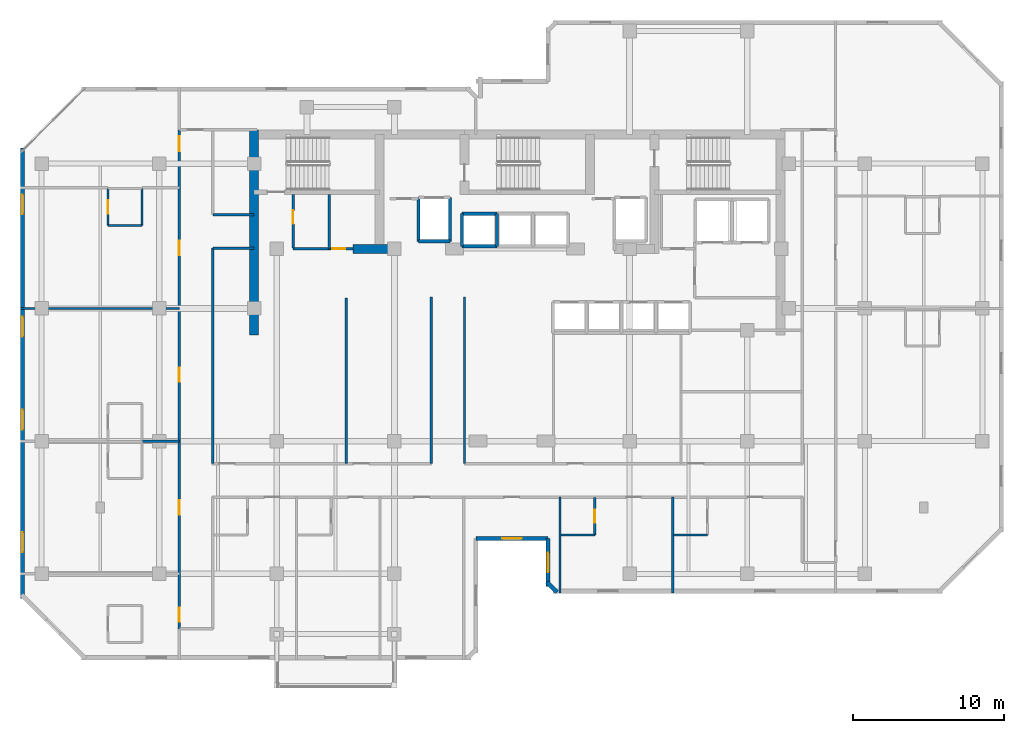
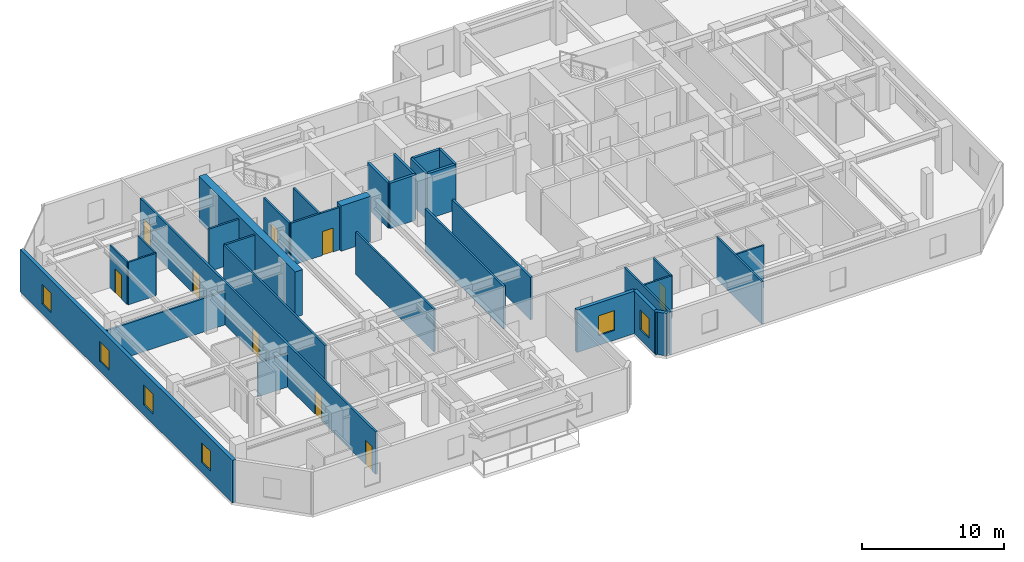
# One storey, part 5 of 11: 33 walls, 9 doors, 6 windows, 15 openings.
"""IFC4 building model written with IfcOpenShell, lengths in metres."""

from ifc_helpers import new_model, si_unit, direction, frame, frame_2d, origin, place, context, subcontext, project, spatial, rectangle, extrude, material, layer, layer_set, type_object, element, fill, save


model = new_model("IFC4")

# Units and contexts
model_context = context("Model", 3, precision=1e-05, world=origin(), true_north=direction((0.0, 1.0)))
body_context = subcontext(model_context, "Body", "Model", "MODEL_VIEW")
ifc_project = project(units=[si_unit("LENGTHUNIT", "METRE"), si_unit("AREAUNIT", "SQUARE_METRE"), si_unit("VOLUMEUNIT", "CUBIC_METRE"), si_unit("PLANEANGLEUNIT", "RADIAN"), si_unit("MASSUNIT", "GRAM", prefix="KILO")], contexts=[model_context])

# Site, building, storey
site_placement = place(None, origin())
site = spatial("IfcSite", under=ifc_project, at=site_placement, CompositionType="ELEMENT")
building_placement = place(site_placement, origin())
building = spatial("IfcBuilding", under=site, at=building_placement, Name="Kestravale Grand Hotel", CompositionType="ELEMENT")
storey_placement = place(building_placement, frame((0.0, 0.0, 200.699951171875)))
storey = spatial("IfcBuildingStorey", under=building, at=storey_placement, Name="L50", CompositionType="ELEMENT", Elevation=200.699951171875)

# Walls
ifc_material_1 = material(Name="Concrete f'c 50 MPa", Category="concrete")
ifc_layer_1 = layer(ifc_material_1, 0.60009765625)
ifc_layer_set_1 = layer_set([ifc_layer_1], Name="EW-CORE-600")
wall_type_1 = type_object("IfcWallType", Name="EW-CORE-600", PredefinedType="SHEAR", material=ifc_layer_set_1)
wall_1_placement = place(storey_placement, frame((21.89990234375, 27.050048828125, 0.0), z_axis=(0.0, 0.0, 1.0), x_axis=(0.0, 1.0, 0.0)))
element("IfcWall", 1, at=wall_1_placement, inside=storey, type_object=wall_type_1, Name="L50 core shear wall W1", PredefinedType="SHEAR", context=body_context, shape_type="SweptSolid", body=[
    extrude(rectangle(XDim=13.570068359375, YDim=0.60009765625, at=frame_2d((6.78515625, 0.0))), origin(), (0.0, 0.0, 1.0), 3.900146484375),
])
wall_2_placement = place(storey_placement, frame((28.449951171875, 32.75, 0.0), z_axis=(0.0, 0.0, 1.0), x_axis=(1.0, 0.0, 0.0)))
element("IfcWall", 2, at=wall_2_placement, inside=storey, type_object=wall_type_1, Name="L50 core shear wall S1", PredefinedType="SHEAR", context=body_context, shape_type="SweptSolid", body=[
    extrude(rectangle(XDim=2.400146484375, YDim=0.60009765625, at=frame_2d((1.2001953125, 0.0))), origin(), (0.0, 0.0, 1.0), 3.900146484375),
])

# Wall, opening, window
ifc_material_2 = material(Name="Precast concrete f'c 45 MPa", Category="concrete")
ifc_layer_2 = layer(ifc_material_2, 0.280029296875)
ifc_layer_set_2 = layer_set([ifc_layer_2], Name="EW-PREC-280")
wall_type_2 = type_object("IfcWallType", Name="EW-PREC-280", PredefinedType="SOLIDWALL", material=ifc_layer_set_2)
wall_3_placement = place(storey_placement, frame((36.610107421875, 13.5400390625, 0.0), z_axis=(0.0, 0.0, 1.0), x_axis=(1.0, 0.0, 0.0)))
wall_3 = element("IfcWall", 3, at=wall_3_placement, inside=storey, type_object=wall_type_2, Name="L50 fluted precast facade wall 4", PredefinedType="SOLIDWALL", context=body_context, shape_type="SweptSolid", body=[
    extrude(rectangle(XDim=4.77978515625, YDim=0.280029296875, at=frame_2d((2.389892578125, 0.0))), origin(), (0.0, 0.0, 1.0), 3.650146484375),
])
opening_1_placement = place(wall_3_placement, frame((1.739990234375, 0.0, 0.85009765625)))
opening_1 = element("IfcOpeningElement", 4, at=opening_1_placement, cuts=wall_3, Name="Opening W-GUEST-1300", PredefinedType="OPENING", context=body_context, shape_type="SweptSolid", body=[
    extrude(rectangle(XDim=1.300048828125, YDim=1.699951171875, at=frame_2d((0.64990234375, 0.85009765625))), frame((0.0, 0.14990234375, 0.0), z_axis=(0.0, -1.0, 0.0), x_axis=(1.0, 0.0, 0.0)), (0.0, 0.0, 1.0), 0.300048828125),
])
ifc_material_3 = material(Name="Insulated low-E double glazing in aluminium frame", Category="aluminium")
window_type = type_object("IfcWindowType", Name="W-GUEST-1300", PartitioningType="SINGLE_PANEL", PredefinedType="WINDOW", material=ifc_material_3)
window_1_placement = place(opening_1_placement, origin())
window_1 = element("IfcWindow", 5, at=window_1_placement, inside=storey, type_object=window_type, Name="L50 exterior window 4.1", OverallHeight=1.699951171875, OverallWidth=1.300048828125, PartitioningType="SINGLE_PANEL", PredefinedType="WINDOW", context=body_context, shape_type="SweptSolid", body=[
    extrude(rectangle(XDim=1.300048828125, YDim=1.699951171875, at=frame_2d((0.64990234375, 0.85009765625))), frame((0.0, 0.030029296875, 0.0), z_axis=(0.0, -1.0, 0.0), x_axis=(1.0, 0.0, 0.0)), (0.0, 0.0, 1.0), 0.06005859375),
])
fill(opening_1, window_1)

wall_4_placement = place(storey_placement, frame((41.389892578125, 13.5400390625, 0.0), z_axis=(0.0, 0.0, 1.0), x_axis=(0.0, -1.0, 0.0)))
wall_4 = element("IfcWall", 6, at=wall_4_placement, inside=storey, type_object=wall_type_2, Name="L50 fluted precast facade wall 5", PredefinedType="SOLIDWALL", context=body_context, shape_type="SweptSolid", body=[
    extrude(rectangle(XDim=3.179931640625, YDim=0.280029296875, at=frame_2d((1.58984375, 0.0))), origin(), (0.0, 0.0, 1.0), 3.650146484375),
])
opening_2_placement = place(wall_4_placement, frame((0.93994140625, 0.0, 0.85009765625)))
opening_2 = element("IfcOpeningElement", 7, at=opening_2_placement, cuts=wall_4, Name="Opening W-GUEST-1300", PredefinedType="OPENING", context=body_context, shape_type="SweptSolid", body=[
    extrude(rectangle(XDim=1.300048828125, YDim=1.699951171875, at=frame_2d((0.64990234375, 0.85009765625))), frame((0.0, 0.14990234375, 0.0), z_axis=(0.0, -1.0, 0.0), x_axis=(1.0, 0.0, 0.0)), (0.0, 0.0, 1.0), 0.300048828125),
])
window_2_placement = place(opening_2_placement, origin())
window_2 = element("IfcWindow", 8, at=window_2_placement, inside=storey, type_object=window_type, Name="L50 exterior window 5.1", OverallHeight=1.699951171875, OverallWidth=1.300048828125, PartitioningType="SINGLE_PANEL", PredefinedType="WINDOW", context=body_context, shape_type="SweptSolid", body=[
    extrude(rectangle(XDim=1.300048828125, YDim=1.699951171875, at=frame_2d((0.64990234375, 0.85009765625))), frame((0.0, 0.030029296875, 0.0), z_axis=(0.0, -1.0, 0.0), x_axis=(1.0, 0.0, 0.0)), (0.0, 0.0, 1.0), 0.06005859375),
])
fill(opening_2, window_2)

# Wall
wall_5_placement = place(storey_placement, frame((41.32080078125, 10.627197265625, 0.0), z_axis=(0.0, 0.0, 1.0), x_axis=(0.707106781187, -0.707106781187, 0.0)))
element("IfcWall", 9, at=wall_5_placement, inside=storey, type_object=wall_type_2, Name="L50 fluted precast facade wall 6", PredefinedType="SOLIDWALL", context=body_context, shape_type="SweptSolid", body=[
    extrude(rectangle(XDim=0.928466796875, YDim=0.280029296875, at=frame_2d((0.46435546875, 0.0))), origin(), (0.0, 0.0, 1.0), 3.650146484375),
])

# Wall, openings, windows
wall_6_placement = place(storey_placement, frame((6.5400390625, 39.43994140625, 0.0), z_axis=(0.0, 0.0, 1.0), x_axis=(0.0, -1.0, 0.0)))
wall_6 = element("IfcWall", 10, at=wall_6_placement, inside=storey, type_object=wall_type_2, Name="L50 fluted precast facade wall 19", PredefinedType="SOLIDWALL", context=body_context, shape_type="SweptSolid", body=[
    extrude(rectangle(XDim=29.8798828125, YDim=0.280029296875, at=frame_2d((14.93994140625, 0.0))), origin(), (0.0, 0.0, 1.0), 3.650146484375),
])
opening_3_placement = place(wall_6_placement, frame((3.0849609375, 0.0, 0.85009765625)))
opening_3 = element("IfcOpeningElement", 11, at=opening_3_placement, cuts=wall_6, Name="Opening W-GUEST-1300", PredefinedType="OPENING", context=body_context, shape_type="SweptSolid", body=[
    extrude(rectangle(XDim=1.300048828125, YDim=1.699951171875, at=frame_2d((0.64990234375, 0.85009765625))), frame((0.0, 0.14990234375, 0.0), z_axis=(0.0, -1.0, 0.0), x_axis=(1.0, 0.0, 0.0)), (0.0, 0.0, 1.0), 0.300048828125),
])
opening_4_placement = place(wall_6_placement, frame((11.205078125, 0.0, 0.85009765625)))
opening_4 = element("IfcOpeningElement", 12, at=opening_4_placement, cuts=wall_6, Name="Opening W-GUEST-1300", PredefinedType="OPENING", context=body_context, shape_type="SweptSolid", body=[
    extrude(rectangle(XDim=1.300048828125, YDim=1.699951171875, at=frame_2d((0.64990234375, 0.85009765625))), frame((0.0, 0.14990234375, 0.0), z_axis=(0.0, -1.0, 0.0), x_axis=(1.0, 0.0, 0.0)), (0.0, 0.0, 1.0), 0.300048828125),
])
opening_5_placement = place(wall_6_placement, frame((17.375, 0.0, 0.85009765625)))
opening_5 = element("IfcOpeningElement", 13, at=opening_5_placement, cuts=wall_6, Name="Opening W-GUEST-1300", PredefinedType="OPENING", context=body_context, shape_type="SweptSolid", body=[
    extrude(rectangle(XDim=1.300048828125, YDim=1.699951171875, at=frame_2d((0.64990234375, 0.85009765625))), frame((0.0, 0.14990234375, 0.0), z_axis=(0.0, -1.0, 0.0), x_axis=(1.0, 0.0, 0.0)), (0.0, 0.0, 1.0), 0.300048828125),
])
opening_6_placement = place(wall_6_placement, frame((25.4951171875, 0.0, 0.85009765625)))
opening_6 = element("IfcOpeningElement", 14, at=opening_6_placement, cuts=wall_6, Name="Opening W-GUEST-1300", PredefinedType="OPENING", context=body_context, shape_type="SweptSolid", body=[
    extrude(rectangle(XDim=1.300048828125, YDim=1.699951171875, at=frame_2d((0.64990234375, 0.85009765625))), frame((0.0, 0.14990234375, 0.0), z_axis=(0.0, -1.0, 0.0), x_axis=(1.0, 0.0, 0.0)), (0.0, 0.0, 1.0), 0.300048828125),
])
window_3_placement = place(opening_3_placement, origin())
window_3 = element("IfcWindow", 15, at=window_3_placement, inside=storey, type_object=window_type, Name="L50 exterior window 19.1", OverallHeight=1.699951171875, OverallWidth=1.300048828125, PartitioningType="SINGLE_PANEL", PredefinedType="WINDOW", context=body_context, shape_type="SweptSolid", body=[
    extrude(rectangle(XDim=1.300048828125, YDim=1.699951171875, at=frame_2d((0.64990234375, 0.85009765625))), frame((0.0, 0.030029296875, 0.0), z_axis=(0.0, -1.0, 0.0), x_axis=(1.0, 0.0, 0.0)), (0.0, 0.0, 1.0), 0.06005859375),
])
fill(opening_3, window_3)
window_4_placement = place(opening_4_placement, origin())
window_4 = element("IfcWindow", 16, at=window_4_placement, inside=storey, type_object=window_type, Name="L50 exterior window 19.2", OverallHeight=1.699951171875, OverallWidth=1.300048828125, PartitioningType="SINGLE_PANEL", PredefinedType="WINDOW", context=body_context, shape_type="SweptSolid", body=[
    extrude(rectangle(XDim=1.300048828125, YDim=1.699951171875, at=frame_2d((0.64990234375, 0.85009765625))), frame((0.0, 0.030029296875, 0.0), z_axis=(0.0, -1.0, 0.0), x_axis=(1.0, 0.0, 0.0)), (0.0, 0.0, 1.0), 0.06005859375),
])
fill(opening_4, window_4)
window_5_placement = place(opening_5_placement, origin())
window_5 = element("IfcWindow", 17, at=window_5_placement, inside=storey, type_object=window_type, Name="L50 exterior window 19.3", OverallHeight=1.699951171875, OverallWidth=1.300048828125, PartitioningType="SINGLE_PANEL", PredefinedType="WINDOW", context=body_context, shape_type="SweptSolid", body=[
    extrude(rectangle(XDim=1.300048828125, YDim=1.699951171875, at=frame_2d((0.64990234375, 0.85009765625))), frame((0.0, 0.030029296875, 0.0), z_axis=(0.0, -1.0, 0.0), x_axis=(1.0, 0.0, 0.0)), (0.0, 0.0, 1.0), 0.06005859375),
])
fill(opening_5, window_5)
window_6_placement = place(opening_6_placement, origin())
window_6 = element("IfcWindow", 18, at=window_6_placement, inside=storey, type_object=window_type, Name="L50 exterior window 19.4", OverallHeight=1.699951171875, OverallWidth=1.300048828125, PartitioningType="SINGLE_PANEL", PredefinedType="WINDOW", context=body_context, shape_type="SweptSolid", body=[
    extrude(rectangle(XDim=1.300048828125, YDim=1.699951171875, at=frame_2d((0.64990234375, 0.85009765625))), frame((0.0, 0.030029296875, 0.0), z_axis=(0.0, -1.0, 0.0), x_axis=(1.0, 0.0, 0.0)), (0.0, 0.0, 1.0), 0.06005859375),
])
fill(opening_6, window_6)

# Wall, opening, door
ifc_material_4 = material(Name="Acoustic fire-rated gypsum board partition", Category="other")
ifc_layer_3 = layer(ifc_material_4, 0.159912109375)
ifc_layer_set_3 = layer_set([ifc_layer_3], Name="IW-CORR-160")
wall_type_3 = type_object("IfcWallType", Name="IW-CORR-160", PredefinedType="PARTITIONING", material=ifc_layer_set_3)
wall_7_placement = place(storey_placement, frame((24.47998046875, 32.800048828125, 0.0), z_axis=(0.0, 0.0, 1.0), x_axis=(0.0, 1.0, 0.0)))
wall_7 = element("IfcWall", 19, at=wall_7_placement, inside=storey, type_object=wall_type_3, Name="L50 west core vestibule wall", PredefinedType="PARTITIONING", context=body_context, shape_type="SweptSolid", body=[
    extrude(rectangle(XDim=3.570068359375, YDim=0.159912109375, at=frame_2d((1.78515625, 0.0))), origin(), (0.0, 0.0, 1.0), 3.650146484375),
])
opening_7_placement = place(wall_7_placement, frame((1.603515625, 0.0, 0.0)))
opening_7 = element("IfcOpeningElement", 20, at=opening_7_placement, cuts=wall_7, Name="Opening D-SH-900", PredefinedType="OPENING", context=body_context, shape_type="SweptSolid", body=[
    extrude(rectangle(XDim=0.89990234375, YDim=2.10009765625, at=frame_2d((0.449951171875, 1.050048828125))), frame((0.0, 0.08984375, 0.0), z_axis=(0.0, -1.0, 0.0), x_axis=(1.0, 0.0, 0.0)), (0.0, 0.0, 1.0), 0.179931640625),
])
ifc_material_5 = material(Name="Galvanised 90-minute shaft and service fire door", Category="steel")
door_type_1 = type_object("IfcDoorType", Name="D-SH-900", OperationType="NOTDEFINED", PredefinedType="DOOR", material=ifc_material_5)
door_1_placement = place(opening_7_placement, origin())
door_1 = element("IfcDoor", 21, at=door_1_placement, inside=storey, type_object=door_type_1, Name="D-L50-HK", OperationType="SINGLE_SWING_RIGHT", OverallHeight=2.10009765625, OverallWidth=0.89990234375, PredefinedType="DOOR", context=body_context, shape_type="SweptSolid", body=[
    extrude(rectangle(XDim=0.89990234375, YDim=2.10009765625, at=frame_2d((0.449951171875, 1.050048828125))), frame((0.0, 0.02490234375, 0.0), z_axis=(0.0, -1.0, 0.0), x_axis=(1.0, 0.0, 0.0)), (0.0, 0.0, 1.0), 0.050048828125),
])
fill(opening_7, door_1)

wall_8_placement = place(storey_placement, frame((24.47998046875, 32.75, 0.0), z_axis=(0.0, 0.0, 1.0), x_axis=(1.0, 0.0, 0.0)))
wall_8 = element("IfcWall", 22, at=wall_8_placement, inside=storey, type_object=wall_type_3, Name="W-L50-CWS", PredefinedType="PARTITIONING", context=body_context, shape_type="SweptSolid", body=[
    extrude(rectangle(XDim=3.969970703125, YDim=0.159912109375, at=frame_2d((1.98486328125, 0.0))), origin(), (0.0, 0.0, 1.0), 3.650146484375),
])
opening_8_placement = place(wall_8_placement, frame((2.5849609375, 0.0, 0.0)))
opening_8 = element("IfcOpeningElement", 23, at=opening_8_placement, cuts=wall_8, Name="Opening D-SH-860", PredefinedType="OPENING", context=body_context, shape_type="SweptSolid", body=[
    extrude(rectangle(XDim=0.860107421875, YDim=2.050048828125, at=frame_2d((0.43017578125, 1.02490234375))), frame((0.0, 0.08984375, 0.0), z_axis=(0.0, -1.0, 0.0), x_axis=(1.0, 0.0, 0.0)), (0.0, 0.0, 1.0), 0.179931640625),
])
ifc_material_6 = material(Name="Galvanised 90-minute riser fire door", Category="steel")
door_type_2 = type_object("IfcDoorType", Name="D-SH-860", OperationType="NOTDEFINED", PredefinedType="DOOR", material=ifc_material_6)
door_2_placement = place(opening_8_placement, origin())
door_2 = element("IfcDoor", 24, at=door_2_placement, inside=storey, type_object=door_type_2, Name="D-L50-ELEC", OperationType="SINGLE_SWING_RIGHT", OverallHeight=2.050048828125, OverallWidth=0.860107421875, PredefinedType="DOOR", context=body_context, shape_type="SweptSolid", body=[
    extrude(rectangle(XDim=0.860107421875, YDim=2.050048828125, at=frame_2d((0.43017578125, 1.02490234375))), frame((0.0, 0.02490234375, 0.0), z_axis=(0.0, -1.0, 0.0), x_axis=(1.0, 0.0, 0.0)), (0.0, 0.0, 1.0), 0.050048828125),
])
fill(opening_8, door_2)

# Walls
for number, where, z_axis, x_axis, name in (
    (25, (33.64990234375, 18.510009765625, 0.0), (0.0, 0.0, 1.0), (0.0, 1.0, 0.0), "W-L50-TRUNK-W"),
    (26, (35.85009765625, 18.510009765625, 0.0), (0.0, 0.0, 1.0), (0.0, 1.0, 0.0), "W-L50-TRUNK-E"),
):
    element("IfcWall", number, at=place(storey_placement, frame(where, z_axis=z_axis, x_axis=x_axis)), inside=storey, type_object=wall_type_3, Name=name, PredefinedType="PARTITIONING", context=body_context, shape_type="SweptSolid", body=[
        extrude(rectangle(XDim=11.0400390625, YDim=0.159912109375, at=frame_2d((5.52001953125, 0.0))), origin(), (0.0, 0.0, 1.0), 3.650146484375),
    ])

# Wall, openings, doors
wall_9_placement = place(storey_placement, frame((16.93994140625, 7.550048828125, 0.0), z_axis=(0.0, 0.0, 1.0), x_axis=(0.0, 1.0, 0.0)))
wall_9 = element("IfcWall", 27, at=wall_9_placement, inside=storey, type_object=wall_type_3, Name="W-L50-SW-W", PredefinedType="PARTITIONING", context=body_context, shape_type="SweptSolid", body=[
    extrude(rectangle(XDim=33.099853515625, YDim=0.159912109375, at=frame_2d((16.5498046875, 0.0))), origin(), (0.0, 0.0, 1.0), 3.650146484375),
])
opening_9_placement = place(wall_9_placement, frame((0.4599609375, 0.0, 0.0)))
opening_9 = element("IfcOpeningElement", 28, at=opening_9_placement, cuts=wall_9, Name="Opening D-GUEST-950", PredefinedType="OPENING", context=body_context, shape_type="SweptSolid", body=[
    extrude(rectangle(XDim=0.949951171875, YDim=2.10009765625, at=frame_2d((0.47509765625, 1.050048828125))), frame((0.0, 0.08984375, 0.0), z_axis=(0.0, -1.0, 0.0), x_axis=(1.0, 0.0, 0.0)), (0.0, 0.0, 1.0), 0.179931640625),
])
opening_10_placement = place(wall_9_placement, frame((7.574951171875, 0.0, 0.0)))
opening_10 = element("IfcOpeningElement", 29, at=opening_10_placement, cuts=wall_9, Name="Opening D-GUEST-950", PredefinedType="OPENING", context=body_context, shape_type="SweptSolid", body=[
    extrude(rectangle(XDim=0.949951171875, YDim=2.10009765625, at=frame_2d((0.47509765625, 1.050048828125))), frame((0.0, 0.08984375, 0.0), z_axis=(0.0, -1.0, 0.0), x_axis=(1.0, 0.0, 0.0)), (0.0, 0.0, 1.0), 0.179931640625),
])
opening_11_placement = place(wall_9_placement, frame((16.375, 0.0, 0.0)))
opening_11 = element("IfcOpeningElement", 30, at=opening_11_placement, cuts=wall_9, Name="Opening D-GUEST-950", PredefinedType="OPENING", context=body_context, shape_type="SweptSolid", body=[
    extrude(rectangle(XDim=0.949951171875, YDim=2.10009765625, at=frame_2d((0.47509765625, 1.050048828125))), frame((0.0, 0.08984375, 0.0), z_axis=(0.0, -1.0, 0.0), x_axis=(1.0, 0.0, 0.0)), (0.0, 0.0, 1.0), 0.179931640625),
])
opening_12_placement = place(wall_9_placement, frame((24.77490234375, 0.0, 0.0)))
opening_12 = element("IfcOpeningElement", 31, at=opening_12_placement, cuts=wall_9, Name="Opening D-GUEST-950", PredefinedType="OPENING", context=body_context, shape_type="SweptSolid", body=[
    extrude(rectangle(XDim=0.949951171875, YDim=2.10009765625, at=frame_2d((0.47509765625, 1.050048828125))), frame((0.0, 0.08984375, 0.0), z_axis=(0.0, -1.0, 0.0), x_axis=(1.0, 0.0, 0.0)), (0.0, 0.0, 1.0), 0.179931640625),
])
opening_13_placement = place(wall_9_placement, frame((31.659912109375, 0.0, 0.0)))
opening_13 = element("IfcOpeningElement", 32, at=opening_13_placement, cuts=wall_9, Name="Opening D-GUEST-1000", PredefinedType="OPENING", context=body_context, shape_type="SweptSolid", body=[
    extrude(rectangle(XDim=1.0, YDim=2.14990234375, at=frame_2d((0.5, 1.074951171875))), frame((0.0, 0.08984375, 0.0), z_axis=(0.0, -1.0, 0.0), x_axis=(1.0, 0.0, 0.0)), (0.0, 0.0, 1.0), 0.179931640625),
])
ifc_material_7 = material(Name="Accessible walnut veneer hotel entrance fire door", Category="wood")
door_type_3 = type_object("IfcDoorType", Name="D-GUEST-1000", OperationType="NOTDEFINED", PredefinedType="DOOR", material=ifc_material_7)
door_3_placement = place(opening_13_placement, origin())
door_3 = element("IfcDoor", 33, at=door_3_placement, inside=storey, type_object=door_type_3, Name="D-L50-AMWW", OperationType="SINGLE_SWING_LEFT", OverallHeight=2.14990234375, OverallWidth=1.0, PredefinedType="DOOR", context=body_context, shape_type="SweptSolid", body=[
    extrude(rectangle(XDim=1.0, YDim=2.14990234375, at=frame_2d((0.5, 1.074951171875))), frame((0.0, 0.02490234375, 0.0), z_axis=(0.0, -1.0, 0.0), x_axis=(1.0, 0.0, 0.0)), (0.0, 0.0, 1.0), 0.050048828125),
])
fill(opening_13, door_3)
ifc_material_8 = material(Name="Walnut veneer hotel guestroom entrance fire door", Category="wood")
door_type_4 = type_object("IfcDoorType", Name="D-GUEST-950", OperationType="NOTDEFINED", PredefinedType="DOOR", material=ifc_material_8)
door_4_placement = place(opening_9_placement, origin())
door_4 = element("IfcDoor", 34, at=door_4_placement, inside=storey, type_object=door_type_4, Name="D-L50-U05-ENT", OperationType="SINGLE_SWING_RIGHT", OverallHeight=2.10009765625, OverallWidth=0.949951171875, PredefinedType="DOOR", context=body_context, shape_type="SweptSolid", body=[
    extrude(rectangle(XDim=0.949951171875, YDim=2.10009765625, at=frame_2d((0.47509765625, 1.050048828125))), frame((0.0, 0.02490234375, 0.0), z_axis=(0.0, -1.0, 0.0), x_axis=(1.0, 0.0, 0.0)), (0.0, 0.0, 1.0), 0.050048828125),
])
fill(opening_9, door_4)
door_5_placement = place(opening_10_placement, origin())
door_5 = element("IfcDoor", 35, at=door_5_placement, inside=storey, type_object=door_type_4, Name="D-L50-U06-ENT", OperationType="SINGLE_SWING_RIGHT", OverallHeight=2.10009765625, OverallWidth=0.949951171875, PredefinedType="DOOR", context=body_context, shape_type="SweptSolid", body=[
    extrude(rectangle(XDim=0.949951171875, YDim=2.10009765625, at=frame_2d((0.47509765625, 1.050048828125))), frame((0.0, 0.02490234375, 0.0), z_axis=(0.0, -1.0, 0.0), x_axis=(1.0, 0.0, 0.0)), (0.0, 0.0, 1.0), 0.050048828125),
])
fill(opening_10, door_5)
door_6_placement = place(opening_11_placement, origin())
door_6 = element("IfcDoor", 36, at=door_6_placement, inside=storey, type_object=door_type_4, Name="D-L50-U07-ENT", OperationType="SINGLE_SWING_RIGHT", OverallHeight=2.10009765625, OverallWidth=0.949951171875, PredefinedType="DOOR", context=body_context, shape_type="SweptSolid", body=[
    extrude(rectangle(XDim=0.949951171875, YDim=2.10009765625, at=frame_2d((0.47509765625, 1.050048828125))), frame((0.0, 0.02490234375, 0.0), z_axis=(0.0, -1.0, 0.0), x_axis=(1.0, 0.0, 0.0)), (0.0, 0.0, 1.0), 0.050048828125),
])
fill(opening_11, door_6)
door_7_placement = place(opening_12_placement, origin())
door_7 = element("IfcDoor", 37, at=door_7_placement, inside=storey, type_object=door_type_4, Name="D-L50-U08-ENT", OperationType="SINGLE_SWING_RIGHT", OverallHeight=2.10009765625, OverallWidth=0.949951171875, PredefinedType="DOOR", context=body_context, shape_type="SweptSolid", body=[
    extrude(rectangle(XDim=0.949951171875, YDim=2.10009765625, at=frame_2d((0.47509765625, 1.050048828125))), frame((0.0, 0.02490234375, 0.0), z_axis=(0.0, -1.0, 0.0), x_axis=(1.0, 0.0, 0.0)), (0.0, 0.0, 1.0), 0.050048828125),
])
fill(opening_12, door_7)

# Walls
for number, where, z_axis, x_axis, name in (
    (38, (19.159912109375, 35.02001953125, 0.0), (0.0, 0.0, 1.0), (1.0, 0.0, 0.0), "W-L50-SW-CN"),
    (39, (19.159912109375, 32.780029296875, 0.0), (0.0, 0.0, 1.0), (1.0, 0.0, 0.0), "W-L50-SW-CS"),
):
    element("IfcWall", number, at=place(storey_placement, frame(where, z_axis=z_axis, x_axis=x_axis)), inside=storey, type_object=wall_type_3, Name=name, PredefinedType="PARTITIONING", context=body_context, shape_type="SweptSolid", body=[
        extrude(rectangle(XDim=2.739990234375, YDim=0.159912109375, at=frame_2d((1.3701171875, 0.0))), origin(), (0.0, 0.0, 1.0), 3.650146484375),
    ])

# Wall, opening, door
ifc_material_9 = material(Name="Moisture-resistant tile-backer plumbing chase wall", Category="other")
ifc_layer_4 = layer(ifc_material_9, 0.139892578125)
ifc_layer_set_4 = layer_set([ifc_layer_4], Name="IW-PLB-140")
wall_type_4 = type_object("IfcWallType", Name="IW-PLB-140", PredefinedType="PLUMBINGWALL", material=ifc_layer_set_4)
wall_10_placement = place(storey_placement, frame((44.489990234375, 13.780029296875, 0.0), z_axis=(0.0, 0.0, 1.0), x_axis=(0.0, 1.0, 0.0)))
wall_10 = element("IfcWall", 40, at=wall_10_placement, inside=storey, type_object=wall_type_4, Name="W-L50-U03-BE", PredefinedType="PLUMBINGWALL", context=body_context, shape_type="SweptSolid", body=[
    extrude(rectangle(XDim=2.489990234375, YDim=0.139892578125, at=frame_2d((1.2451171875, 0.0))), origin(), (0.0, 0.0, 1.0), 3.650146484375),
])
opening_14_placement = place(wall_10_placement, frame((0.804931640625, 0.0, 0.0)))
opening_14 = element("IfcOpeningElement", 41, at=opening_14_placement, cuts=wall_10, Name="Opening D-BATH-880", PredefinedType="OPENING", context=body_context, shape_type="SweptSolid", body=[
    extrude(rectangle(XDim=0.8798828125, YDim=2.050048828125, at=frame_2d((0.43994140625, 1.02490234375))), frame((0.0, 0.079833984375, 0.0), z_axis=(0.0, -1.0, 0.0), x_axis=(1.0, 0.0, 0.0)), (0.0, 0.0, 1.0), 0.159912109375),
])
ifc_material_10 = material(Name="Moisture-sealed walnut en-suite bathroom door", Category="wood")
door_type_5 = type_object("IfcDoorType", Name="D-BATH-880", OperationType="NOTDEFINED", PredefinedType="DOOR", material=ifc_material_10)
door_8_placement = place(opening_14_placement, origin())
door_8 = element("IfcDoor", 42, at=door_8_placement, inside=storey, type_object=door_type_5, Name="D-L50-U03-BATH", OperationType="SINGLE_SWING_LEFT", OverallHeight=2.050048828125, OverallWidth=0.8798828125, PredefinedType="DOOR", context=body_context, shape_type="SweptSolid", body=[
    extrude(rectangle(XDim=0.8798828125, YDim=2.050048828125, at=frame_2d((0.43994140625, 1.02490234375))), frame((0.0, 0.02490234375, 0.0), z_axis=(0.0, -1.0, 0.0), x_axis=(1.0, 0.0, 0.0)), (0.0, 0.0, 1.0), 0.050048828125),
])
fill(opening_14, door_8)

# Walls
for number, where, z_axis, x_axis, name in (
    (43, (42.239990234375, 13.780029296875, 0.0), (0.0, 0.0, 1.0), (1.0, 0.0, 0.0), "W-L50-U03-BS"),
    (44, (49.719970703125, 13.780029296875, 0.0), (0.0, 0.0, 1.0), (1.0, 0.0, 0.0), "W-L50-U04-BS"),
):
    element("IfcWall", number, at=place(storey_placement, frame(where, z_axis=z_axis, x_axis=x_axis)), inside=storey, type_object=wall_type_4, Name=name, PredefinedType="PLUMBINGWALL", context=body_context, shape_type="SweptSolid", body=[
        extrude(rectangle(XDim=2.25, YDim=0.139892578125, at=frame_2d((1.125, 0.0))), origin(), (0.0, 0.0, 1.0), 3.650146484375),
    ])

# Wall, opening, door
wall_11_placement = place(storey_placement, frame((12.199951171875, 34.31005859375, 0.0), z_axis=(0.0, 0.0, 1.0), x_axis=(0.0, 1.0, 0.0)))
wall_11 = element("IfcWall", 45, at=wall_11_placement, inside=storey, type_object=wall_type_4, Name="W-L50-U08-BW", PredefinedType="PLUMBINGWALL", context=body_context, shape_type="SweptSolid", body=[
    extrude(rectangle(XDim=2.449951171875, YDim=0.139892578125, at=frame_2d((1.22509765625, 0.0))), origin(), (0.0, 0.0, 1.0), 3.650146484375),
])
opening_15_placement = place(wall_11_placement, frame((0.784912109375, 0.0, 0.0)))
opening_15 = element("IfcOpeningElement", 46, at=opening_15_placement, cuts=wall_11, Name="Opening D-BATH-880", PredefinedType="OPENING", context=body_context, shape_type="SweptSolid", body=[
    extrude(rectangle(XDim=0.8798828125, YDim=2.050048828125, at=frame_2d((0.43994140625, 1.02490234375))), frame((0.0, 0.079833984375, 0.0), z_axis=(0.0, -1.0, 0.0), x_axis=(1.0, 0.0, 0.0)), (0.0, 0.0, 1.0), 0.159912109375),
])
door_9_placement = place(opening_15_placement, origin())
door_9 = element("IfcDoor", 47, at=door_9_placement, inside=storey, type_object=door_type_5, Name="D-L50-U08-BATH", OperationType="SINGLE_SWING_LEFT", OverallHeight=2.050048828125, OverallWidth=0.8798828125, PredefinedType="DOOR", context=body_context, shape_type="SweptSolid", body=[
    extrude(rectangle(XDim=0.8798828125, YDim=2.050048828125, at=frame_2d((0.43994140625, 1.02490234375))), frame((0.0, 0.02490234375, 0.0), z_axis=(0.0, -1.0, 0.0), x_axis=(1.0, 0.0, 0.0)), (0.0, 0.0, 1.0), 0.050048828125),
])
fill(opening_15, door_9)

# Walls
wall_12_placement = place(storey_placement, frame((14.449951171875, 34.31005859375, 0.0), z_axis=(0.0, 0.0, 1.0), x_axis=(0.0, 1.0, 0.0)))
element("IfcWall", 48, at=wall_12_placement, inside=storey, type_object=wall_type_4, Name="W-L50-U08-BE", PredefinedType="PLUMBINGWALL", context=body_context, shape_type="SweptSolid", body=[
    extrude(rectangle(XDim=2.449951171875, YDim=0.139892578125, at=frame_2d((1.22509765625, 0.0))), origin(), (0.0, 0.0, 1.0), 3.650146484375),
])
wall_13_placement = place(storey_placement, frame((12.199951171875, 34.31005859375, 0.0), z_axis=(0.0, 0.0, 1.0), x_axis=(1.0, 0.0, 0.0)))
element("IfcWall", 49, at=wall_13_placement, inside=storey, type_object=wall_type_4, Name="W-L50-U08-BS", PredefinedType="PLUMBINGWALL", context=body_context, shape_type="SweptSolid", body=[
    extrude(rectangle(XDim=2.25, YDim=0.139892578125, at=frame_2d((1.125, 0.0))), origin(), (0.0, 0.0, 1.0), 3.650146484375),
])
ifc_material_11 = material(Name="Concrete f'c 45 MPa", Category="concrete")
ifc_layer_5 = layer(ifc_material_11, 0.199951171875)
ifc_layer_set_5 = layer_set([ifc_layer_5], Name="IW-SHAFT-200")
wall_type_5 = type_object("IfcWallType", Name="IW-SHAFT-200", PredefinedType="SHEAR", material=ifc_layer_set_5)
for number, where, z_axis, x_axis, name in (
    (50, (35.679931640625, 32.919921875, 0.0), (0.0, 0.0, 1.0), (0.0, 1.0, 0.0), "L50 PL-X1 west shaft wall"),
    (51, (38.0, 32.919921875, 0.0), (0.0, 0.0, 1.0), (0.0, 1.0, 0.0), "L50 PL-X2 west shaft wall"),
):
    element("IfcWall", number, at=place(storey_placement, frame(where, z_axis=z_axis, x_axis=x_axis)), inside=storey, type_object=wall_type_5, Name=name, PredefinedType="SHEAR", context=body_context, shape_type="SweptSolid", body=[
        extrude(rectangle(XDim=2.16015625, YDim=0.199951171875, at=frame_2d((1.080078125, 0.0))), origin(), (0.0, 0.0, 1.0), 3.900146484375),
    ])
for number, where, z_axis, x_axis, name in (
    (52, (32.804931640625, 33.2451171875, 0.0), (0.0, 0.0, 1.0), (0.0, 1.0, 0.0), "L50 FL-1 west shaft wall"),
    (53, (34.89501953125, 33.2451171875, 0.0), (0.0, 0.0, 1.0), (0.0, 1.0, 0.0), "L50 FL-1 east shaft wall"),
):
    element("IfcWall", number, at=place(storey_placement, frame(where, z_axis=z_axis, x_axis=x_axis)), inside=storey, type_object=wall_type_5, Name=name, PredefinedType="SHEAR", context=body_context, shape_type="SweptSolid", body=[
        extrude(rectangle(XDim=2.909912109375, YDim=0.199951171875, at=frame_2d((1.455078125, 0.0))), origin(), (0.0, 0.0, 1.0), 3.900146484375),
    ])
ifc_material_12 = material(Name="Concrete f'c 45 MPa", Category="concrete")
ifc_layer_6 = layer(ifc_material_12, 0.219970703125)
ifc_layer_set_6 = layer_set([ifc_layer_6], Name="IW-SHAFT-220")
wall_type_6 = type_object("IfcWallType", Name="IW-SHAFT-220", PredefinedType="SHEAR", material=ifc_layer_set_6)
for number, where, z_axis, x_axis, name in (
    (54, (35.679931640625, 35.080078125, 0.0), (0.0, 0.0, 1.0), (1.0, 0.0, 0.0), "L50 PL-X1 north shaft wall"),
    (55, (35.679931640625, 32.919921875, 0.0), (0.0, 0.0, 1.0), (1.0, 0.0, 0.0), "L50 PL-X1 south shaft wall"),
):
    element("IfcWall", number, at=place(storey_placement, frame(where, z_axis=z_axis, x_axis=x_axis)), inside=storey, type_object=wall_type_6, Name=name, PredefinedType="SHEAR", context=body_context, shape_type="SweptSolid", body=[
        extrude(rectangle(XDim=2.320068359375, YDim=0.219970703125, at=frame_2d((1.16015625, 0.0))), origin(), (0.0, 0.0, 1.0), 3.900146484375),
    ])
wall_14_placement = place(storey_placement, frame((32.804931640625, 33.2451171875, 0.0), z_axis=(0.0, 0.0, 1.0), x_axis=(1.0, 0.0, 0.0)))
element("IfcWall", 56, at=wall_14_placement, inside=storey, type_object=wall_type_6, Name="L50 FL-1 south shaft wall", PredefinedType="SHEAR", context=body_context, shape_type="SweptSolid", body=[
    extrude(rectangle(XDim=2.090087890625, YDim=0.219970703125, at=frame_2d((1.044921875, 0.0))), origin(), (0.0, 0.0, 1.0), 3.900146484375),
])
ifc_material_13 = material(Name="Double-stud STC 52 acoustic demising partition", Category="other")
ifc_layer_7 = layer(ifc_material_13, 0.14990234375)
ifc_layer_set_7 = layer_set([ifc_layer_7], Name="IW-UNIT-150")
wall_type_7 = type_object("IfcWallType", Name="IW-UNIT-150", PredefinedType="PARTITIONING", material=ifc_layer_set_7)
wall_15_placement = place(storey_placement, frame((26.8798828125, 32.75, 0.0), z_axis=(0.0, 0.0, 1.0), x_axis=(0.0, 1.0, 0.0)))
element("IfcWall", 57, at=wall_15_placement, inside=storey, type_object=wall_type_7, Name="W-L50-CC0-1", PredefinedType="PARTITIONING", context=body_context, shape_type="SweptSolid", body=[
    extrude(rectangle(XDim=3.6201171875, YDim=0.14990234375, at=frame_2d((1.81005859375, 0.0))), origin(), (0.0, 0.0, 1.0), 3.650146484375),
])
wall_16_placement = place(storey_placement, frame((19.159912109375, 18.510009765625, 0.0), z_axis=(0.0, 0.0, 1.0), x_axis=(0.0, 1.0, 0.0)))
element("IfcWall", 58, at=wall_16_placement, inside=storey, type_object=wall_type_7, Name="W-L50-RCLW-W", PredefinedType="PARTITIONING", context=body_context, shape_type="SweptSolid", body=[
    extrude(rectangle(XDim=14.2900390625, YDim=0.14990234375, at=frame_2d((7.14501953125, 0.0))), origin(), (0.0, 0.0, 1.0), 3.650146484375),
])
wall_17_placement = place(storey_placement, frame((28.0, 18.510009765625, 0.0), z_axis=(0.0, 0.0, 1.0), x_axis=(0.0, 1.0, 0.0)))
element("IfcWall", 59, at=wall_17_placement, inside=storey, type_object=wall_type_7, Name="W-L50-RCLW-M", PredefinedType="PARTITIONING", context=body_context, shape_type="SweptSolid", body=[
    extrude(rectangle(XDim=10.989990234375, YDim=0.14990234375, at=frame_2d((5.4951171875, 0.0))), origin(), (0.0, 0.0, 1.0), 3.650146484375),
])
for number, where, z_axis, x_axis, name in (
    (60, (42.179931640625, 9.919921875, 0.0), (0.0, 0.0, 1.0), (0.0, 1.0, 0.0), "W-L50-ES-1"),
    (61, (49.659912109375, 9.919921875, 0.0), (0.0, 0.0, 1.0), (0.0, 1.0, 0.0), "W-L50-ES-2"),
):
    element("IfcWall", number, at=place(storey_placement, frame(where, z_axis=z_axis, x_axis=x_axis)), inside=storey, type_object=wall_type_7, Name=name, PredefinedType="PARTITIONING", context=body_context, shape_type="SweptSolid", body=[
        extrude(rectangle(XDim=6.3701171875, YDim=0.14990234375, at=frame_2d((3.18505859375, 0.0))), origin(), (0.0, 0.0, 1.0), 3.650146484375),
    ])
wall_18_placement = place(storey_placement, frame((14.449951171875, 20.0, 0.0), z_axis=(0.0, 0.0, 1.0), x_axis=(1.0, 0.0, 0.0)))
element("IfcWall", 62, at=wall_18_placement, inside=storey, type_object=wall_type_7, Name="W-L50-WW-2", PredefinedType="PARTITIONING", context=body_context, shape_type="SweptSolid", body=[
    extrude(rectangle(XDim=2.489990234375, YDim=0.14990234375, at=frame_2d((1.2451171875, 0.0))), origin(), (0.0, 0.0, 1.0), 2.8779296875),
])
wall_19_placement = place(storey_placement, frame((6.419921875, 28.800048828125, 0.0), z_axis=(0.0, 0.0, 1.0), x_axis=(1.0, 0.0, 0.0)))
element("IfcWall", 63, at=wall_19_placement, inside=storey, type_object=wall_type_7, Name="W-L50-WW-3", PredefinedType="PARTITIONING", context=body_context, shape_type="SweptSolid", body=[
    extrude(rectangle(XDim=10.52001953125, YDim=0.14990234375, at=frame_2d((5.260009765625, 0.0))), origin(), (0.0, 0.0, 1.0), 2.8779296875),
])

save(model, "model.ifc")
